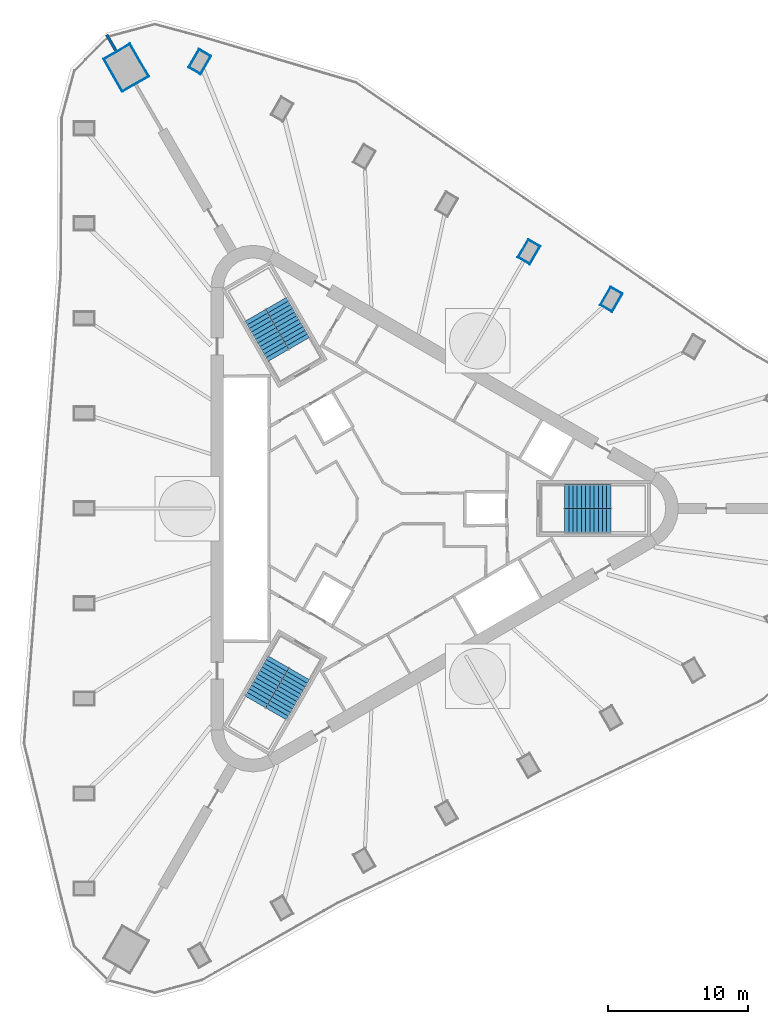
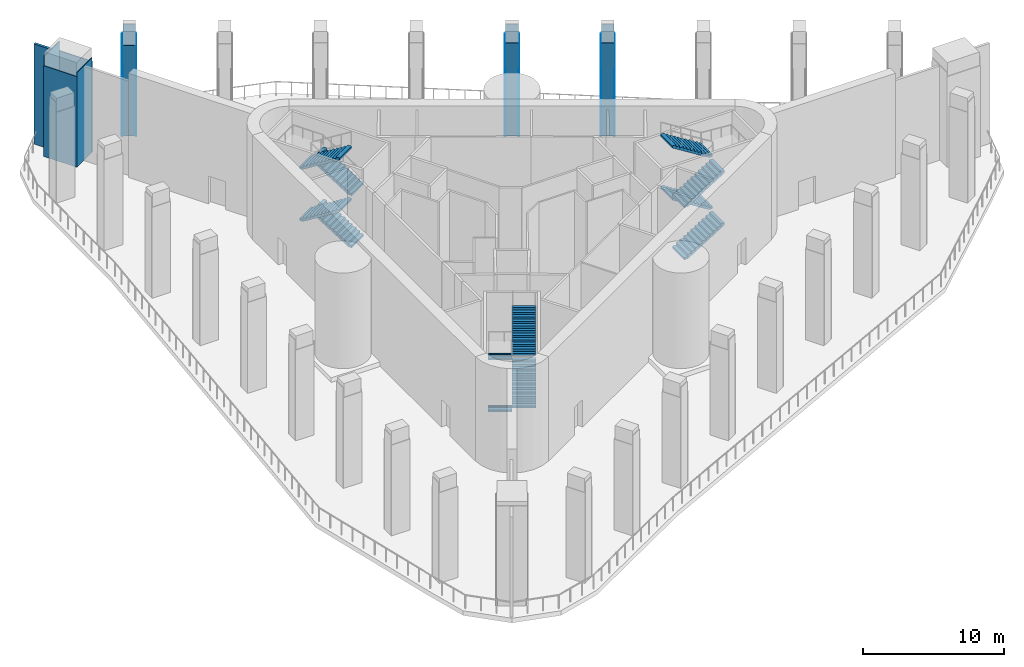
# One storey, part 6 of 10: 17 walls, 12 stair flights, 3 elements without a shape of their own.
"""IFC4 building model written with IfcOpenShell, lengths in metres."""

from ifc_helpers import new_model, si_unit, direction, frame, frame_2d, origin, place, context, subcontext, project, spatial, polyline, rectangle, outline, extrude, material, layer, layer_set, type_object, element, aggregate, save


model = new_model("IFC4")

# Units and contexts
model_context = context("Model", 3, precision=1e-05, world=origin(), true_north=direction((0.0, 1.0)))
body_context = subcontext(model_context, "Body", "Model", "MODEL_VIEW")
ifc_project = project(units=[si_unit("LENGTHUNIT", "METRE"), si_unit("AREAUNIT", "SQUARE_METRE"), si_unit("VOLUMEUNIT", "CUBIC_METRE"), si_unit("PLANEANGLEUNIT", "RADIAN"), si_unit("MASSUNIT", "GRAM", prefix="KILO")], contexts=[model_context])

# Site, building, storey
site_placement = place(None, origin())
site = spatial("IfcSite", under=ifc_project, at=site_placement, CompositionType="ELEMENT")
building_placement = place(site_placement, origin())
building = spatial("IfcBuilding", under=site, at=building_placement, Name="Tanit Gate Tower", CompositionType="ELEMENT")
storey_placement = place(building_placement, frame((0.0, 0.0, 283.699951171875)))
storey = spatial("IfcBuildingStorey", under=building, at=storey_placement, Name="L64", CompositionType="ELEMENT", Elevation=283.699951171875)

# Walls
ifc_material_1 = material(Name="Bronze anodised aluminium cladding", Category="aluminium")
ifc_layer_1 = layer(ifc_material_1, 0.06005859375)
ifc_layer_set_1 = layer_set([ifc_layer_1], Name="Column casing bronze 60")
wall_type_1 = type_object("IfcWallType", Name="Column casing bronze 60", PredefinedType="SOLIDWALL", material=ifc_layer_set_1)
for number, where, z_axis, x_axis, name in (
    (1, (-18.390380859375, 29.693115234375, 0.0), (0.0, 0.0, 1.0), (-0.500048779063, 0.865997239347, 0.0), "Column casing L64 M-NW.L1"),
    (2, (-16.519775390625, 30.773193359375, 0.0), (0.0, 0.0, 1.0), (-0.500048779063, 0.865997239347, 0.0), "Column casing L64 M-NW.L2"),
):
    element("IfcWall", number, at=place(storey_placement, frame(where, z_axis=z_axis, x_axis=x_axis)), inside=storey, type_object=wall_type_1, Name=name, PredefinedType="SOLIDWALL", context=body_context, shape_type="SweptSolid", body=[
        extrude(rectangle(XDim=2.719970703125, YDim=0.06005859375, at=frame_2d((1.35986328125, 0.0))), origin(), (0.0, 0.0, 1.0), 7.8359375),
    ])
wall_1_placement = place(storey_placement, frame((-17.890869140625, 33.087646484375, 0.0), z_axis=(0.0, 0.0, 1.0), x_axis=(-0.866009402589, -0.500027713859, 0.0)))
element("IfcWall", 3, at=wall_1_placement, inside=storey, type_object=wall_type_1, Name="Column casing L64 M-NW.S1", PredefinedType="SOLIDWALL", context=body_context, shape_type="SweptSolid", body=[
    extrude(rectangle(XDim=2.10009765625, YDim=0.06005859375, at=frame_2d((1.050048828125, 0.0))), origin(), (0.0, 0.0, 1.0), 8.650146484375),
])
wall_2_placement = place(storey_placement, frame((-16.560791015625, 30.7841796875, 0.0), z_axis=(0.0, 0.0, 1.0), x_axis=(-0.866009402589, -0.500027713859, 0.0)))
element("IfcWall", 4, at=wall_2_placement, inside=storey, type_object=wall_type_1, Name="Column casing L64 M-NW.S2", PredefinedType="SOLIDWALL", context=body_context, shape_type="SweptSolid", body=[
    extrude(rectangle(XDim=2.10009765625, YDim=0.06005859375, at=frame_2d((1.050048828125, 0.0))), origin(), (0.0, 0.0, 1.0), 8.16015625),
])
for number, where, z_axis, x_axis, name in (
    (5, (15.62890625, 14.488037109375, 0.0), (0.0, 0.0, 1.0), (0.499991248344, 0.866030456496, 0.0), "Column casing L64 P-NE4.L1"),
    (6, (16.460205078125, 14.008056640625, 0.0), (0.0, 0.0, 1.0), (0.499991248344, 0.866030456496, 0.0), "Column casing L64 P-NE4.L2"),
):
    element("IfcWall", number, at=place(storey_placement, frame(where, z_axis=z_axis, x_axis=x_axis)), inside=storey, type_object=wall_type_1, Name=name, PredefinedType="SOLIDWALL", context=body_context, shape_type="SweptSolid", body=[
        extrude(rectangle(XDim=1.52001953125, YDim=0.06005859375, at=frame_2d((0.760009765625, 0.0))), origin(), (0.0, 0.0, 1.0), 7.8359375),
    ])
wall_3_placement = place(storey_placement, frame((17.17919921875, 15.3134765625, 0.0), z_axis=(0.0, 0.0, 1.0), x_axis=(-0.866013897511, 0.50001992892, 0.0)))
element("IfcWall", 7, at=wall_3_placement, inside=storey, type_object=wall_type_1, Name="Column casing L64 P-NE4.S1", PredefinedType="SOLIDWALL", context=body_context, shape_type="SweptSolid", body=[
    extrude(rectangle(XDim=0.89990234375, YDim=0.06005859375, at=frame_2d((0.449951171875, 0.0))), origin(), (0.0, 0.0, 1.0), 8.650146484375),
])
wall_4_placement = place(storey_placement, frame((16.44921875, 14.049072265625, 0.0), z_axis=(0.0, 0.0, 1.0), x_axis=(-0.866013897511, 0.50001992892, 0.0)))
element("IfcWall", 8, at=wall_4_placement, inside=storey, type_object=wall_type_1, Name="Column casing L64 P-NE4.S2", PredefinedType="SOLIDWALL", context=body_context, shape_type="SweptSolid", body=[
    extrude(rectangle(XDim=0.89990234375, YDim=0.06005859375, at=frame_2d((0.449951171875, 0.0))), origin(), (0.0, 0.0, 1.0), 8.050048828125),
])
for number, where, z_axis, x_axis, name in (
    (9, (9.764892578125, 17.87353515625, 0.0), (0.0, 0.0, 1.0), (0.499991248344, 0.866030456496, 0.0), "Column casing L64 P-NE5.L1"),
    (10, (10.596435546875, 17.3935546875, 0.0), (0.0, 0.0, 1.0), (0.499991248344, 0.866030456496, 0.0), "Column casing L64 P-NE5.L2"),
):
    element("IfcWall", number, at=place(storey_placement, frame(where, z_axis=z_axis, x_axis=x_axis)), inside=storey, type_object=wall_type_1, Name=name, PredefinedType="SOLIDWALL", context=body_context, shape_type="SweptSolid", body=[
        extrude(rectangle(XDim=1.52001953125, YDim=0.06005859375, at=frame_2d((0.760009765625, 0.0))), origin(), (0.0, 0.0, 1.0), 7.8359375),
    ])
wall_5_placement = place(storey_placement, frame((11.3154296875, 18.698974609375, 0.0), z_axis=(0.0, 0.0, 1.0), x_axis=(-0.866081705922, 0.499902469156, 0.0)))
element("IfcWall", 11, at=wall_5_placement, inside=storey, type_object=wall_type_1, Name="Column casing L64 P-NE5.S1", PredefinedType="SOLIDWALL", context=body_context, shape_type="SweptSolid", body=[
    extrude(rectangle(XDim=0.900146484375, YDim=0.06005859375, at=frame_2d((0.4501953125, 0.0))), origin(), (0.0, 0.0, 1.0), 8.650146484375),
])
wall_6_placement = place(storey_placement, frame((10.58544921875, 17.4345703125, 0.0), z_axis=(0.0, 0.0, 1.0), x_axis=(-0.866081705922, 0.499902469156, 0.0)))
element("IfcWall", 12, at=wall_6_placement, inside=storey, type_object=wall_type_1, Name="Column casing L64 P-NE5.S2", PredefinedType="SOLIDWALL", context=body_context, shape_type="SweptSolid", body=[
    extrude(rectangle(XDim=0.900146484375, YDim=0.06005859375, at=frame_2d((0.4501953125, 0.0))), origin(), (0.0, 0.0, 1.0), 8.050048828125),
])
for number, where, z_axis, x_axis, name in (
    (13, (-13.6904296875, 31.415283203125, 0.0), (0.0, 0.0, 1.0), (0.499991248344, 0.866030456496, 0.0), "Column casing L64 P-NE9.L1"),
    (14, (-12.85888671875, 30.935302734375, 0.0), (0.0, 0.0, 1.0), (0.49987077196, 0.866100000774, 0.0), "Column casing L64 P-NE9.L2"),
):
    element("IfcWall", number, at=place(storey_placement, frame(where, z_axis=z_axis, x_axis=x_axis)), inside=storey, type_object=wall_type_1, Name=name, PredefinedType="SOLIDWALL", context=body_context, shape_type="SweptSolid", body=[
        extrude(rectangle(XDim=1.52001953125, YDim=0.06005859375, at=frame_2d((0.760009765625, 0.0))), origin(), (0.0, 0.0, 1.0), 7.8359375),
    ])
wall_7_placement = place(storey_placement, frame((-12.139892578125, 32.24072265625, 0.0), z_axis=(0.0, 0.0, 1.0), x_axis=(-0.865964261186, 0.500105887137, 0.0)))
element("IfcWall", 15, at=wall_7_placement, inside=storey, type_object=wall_type_1, Name="Column casing L64 P-NE9.S1", PredefinedType="SOLIDWALL", context=body_context, shape_type="SweptSolid", body=[
    extrude(rectangle(XDim=0.900146484375, YDim=0.06005859375, at=frame_2d((0.4501953125, 0.0))), origin(), (0.0, 0.0, 1.0), 8.650146484375),
])
wall_8_placement = place(storey_placement, frame((-12.8701171875, 30.976318359375, 0.0), z_axis=(0.0, 0.0, 1.0), x_axis=(-0.865896406789, 0.500223362819, 0.0)))
element("IfcWall", 16, at=wall_8_placement, inside=storey, type_object=wall_type_1, Name="Column casing L64 P-NE9.S2", PredefinedType="SOLIDWALL", context=body_context, shape_type="SweptSolid", body=[
    extrude(rectangle(XDim=0.89990234375, YDim=0.06005859375, at=frame_2d((0.449951171875, 0.0))), origin(), (0.0, 0.0, 1.0), 7.8359375),
])
ifc_material_2 = material(Name="Fire-rated gypsum board partition")
ifc_layer_2 = layer(ifc_material_2, 0.199951171875)
ifc_layer_set_2 = layer_set([ifc_layer_2], Name="INT-WALL-COMPARTMENT")
wall_type_2 = type_object("IfcWallType", Name="INT-WALL-COMPARTMENT", PredefinedType="PARTITIONING", material=ifc_layer_set_2)
wall_9_placement = place(storey_placement, frame((-19.52001953125, 33.74951171875, 0.0), z_axis=(0.0, 0.0, 1.0), x_axis=(0.500064592235, -0.865988108228, 0.0)))
element("IfcWall", 17, at=wall_9_placement, inside=storey, type_object=wall_type_2, Name="Wall Compartment W083", PredefinedType="PARTITIONING", context=body_context, shape_type="SweptSolid", body=[
    extrude(rectangle(XDim=1.317626953125, YDim=0.199951171875, at=frame_2d((0.65869140625, 0.0))), origin(), (0.0, 0.0, 1.0), 8.650146484375),
])

# Stair, stair flights
ifc_material_3 = material(Name="Concrete C40/50", Category="concrete")
stair_type = type_object("IfcStairType", Name="INT-STAIR-EXIT", PredefinedType="HALF_TURN_STAIR", material=ifc_material_3)
stair_1_placement = place(storey_placement, origin())
stair_1 = element("IfcStair", 18, at=stair_1_placement, inside=storey, type_object=stair_type, Name="L64 STAIR S1", PredefinedType="HALF_TURN_STAIR")
ifc_material_4 = material(Name="Concrete C40/50", Category="concrete")
stair_flight_type = type_object("IfcStairFlightType", Name="INT-STAIR-FLIGHT", PredefinedType="STRAIGHT", material=ifc_material_4)
stair_flight_1_placement = place(storey_placement, frame((13.094970703125, -0.8525390625, 0.0), z_axis=(0.0, 0.0, 1.0), x_axis=(1.0, 0.0, 0.0)))
stair_flight_1 = element("IfcStairFlight", 19, at=stair_flight_1_placement, type_object=stair_flight_type, Name="S1 flight 1", NumberOfRisers=12, NumberOfTreads=11, PredefinedType="STRAIGHT", RiserHeight=0.1875, TreadLength=0.3, context=body_context, shape_type="SweptSolid", body=[
    extrude(outline(polyline([(0.0, 0.0), (0.0, 0.1875), (0.300048828125, 0.1875), (0.300048828125, 0.375), (0.60009765625, 0.375), (0.60009765625, 0.5625), (0.89990234375, 0.5625), (0.89990234375, 0.75), (1.199951171875, 0.75), (1.199951171875, 0.9375), (1.5, 0.9375), (1.5, 1.125), (1.800048828125, 1.125), (1.800048828125, 1.3125), (2.10009765625, 1.3125), (2.10009765625, 1.5), (2.39990234375, 1.5), (2.39990234375, 1.6875), (2.699951171875, 1.6875), (2.699951171875, 1.875), (3.0, 1.875), (3.0, 2.0625), (3.300048828125, 2.0625), (3.300048828125, 2.25), (3.300048828125, 1.8857421875), (0.28271484375, 0.0), (0.0, 0.0)])), frame((0.0, 0.84765625, 0.0), z_axis=(0.0, -1.0, 0.0), x_axis=(1.0, 0.0, 0.0)), (0.0, 0.0, 1.0), 1.695068359375),
])
stair_flight_2_placement = place(storey_placement, frame((16.39501953125, 0.8525390625, 2.25), z_axis=(0.0, 0.0, 1.0), x_axis=(-1.0, 0.0, 0.0)))
stair_flight_2 = element("IfcStairFlight", 20, at=stair_flight_2_placement, type_object=stair_flight_type, Name="S1 flight 2", NumberOfRisers=12, NumberOfTreads=11, PredefinedType="STRAIGHT", RiserHeight=0.1875, TreadLength=0.3, context=body_context, shape_type="SweptSolid", body=[
    extrude(outline(polyline([(0.0, 0.0), (0.0, 0.1875), (0.300048828125, 0.1875), (0.300048828125, 0.375), (0.60009765625, 0.375), (0.60009765625, 0.5625), (0.89990234375, 0.5625), (0.89990234375, 0.75), (1.199951171875, 0.75), (1.199951171875, 0.9375), (1.5, 0.9375), (1.5, 1.125), (1.800048828125, 1.125), (1.800048828125, 1.3125), (2.10009765625, 1.3125), (2.10009765625, 1.5), (2.39990234375, 1.5), (2.39990234375, 1.6875), (2.699951171875, 1.6875), (2.699951171875, 1.875), (3.0, 1.875), (3.0, 2.0625), (3.300048828125, 2.0625), (3.300048828125, 2.25), (3.300048828125, 1.8857421875), (0.28271484375, 0.0), (0.0, 0.0)])), frame((0.0, 0.84765625, 0.0), z_axis=(0.0, -1.0, 0.0), x_axis=(1.0, 0.0, 0.0)), (0.0, 0.0, 1.0), 1.695068359375),
])
stair_flight_3_placement = place(storey_placement, frame((13.094970703125, -0.8525390625, 4.5), z_axis=(0.0, 0.0, 1.0), x_axis=(1.0, 0.0, 0.0)))
stair_flight_3 = element("IfcStairFlight", 21, at=stair_flight_3_placement, type_object=stair_flight_type, Name="S1 flight 3", NumberOfRisers=12, NumberOfTreads=11, PredefinedType="STRAIGHT", RiserHeight=0.1875, TreadLength=0.3, context=body_context, shape_type="SweptSolid", body=[
    extrude(outline(polyline([(0.0, 0.0), (0.0, 0.1875), (0.300048828125, 0.1875), (0.300048828125, 0.375), (0.60009765625, 0.375), (0.60009765625, 0.5625), (0.89990234375, 0.5625), (0.89990234375, 0.75), (1.199951171875, 0.75), (1.199951171875, 0.9375), (1.5, 0.9375), (1.5, 1.125), (1.800048828125, 1.125), (1.800048828125, 1.3125), (2.10009765625, 1.3125), (2.10009765625, 1.5), (2.39990234375, 1.5), (2.39990234375, 1.6875), (2.699951171875, 1.6875), (2.699951171875, 1.875), (3.0, 1.875), (3.0, 2.0625), (3.300048828125, 2.0625), (3.300048828125, 2.25), (3.300048828125, 1.8857421875), (0.28271484375, 0.0), (0.0, 0.0)])), frame((0.0, 0.84765625, 0.0), z_axis=(0.0, -1.0, 0.0), x_axis=(1.0, 0.0, 0.0)), (0.0, 0.0, 1.0), 1.695068359375),
])
stair_flight_4_placement = place(storey_placement, frame((16.39501953125, 0.8525390625, 6.75), z_axis=(0.0, 0.0, 1.0), x_axis=(-1.0, 0.0, 0.0)))
stair_flight_4 = element("IfcStairFlight", 22, at=stair_flight_4_placement, type_object=stair_flight_type, Name="S1 flight 4", NumberOfRisers=12, NumberOfTreads=11, PredefinedType="STRAIGHT", RiserHeight=0.1875, TreadLength=0.3, context=body_context, shape_type="SweptSolid", body=[
    extrude(outline(polyline([(0.0, 0.0), (0.0, 0.1875), (0.300048828125, 0.1875), (0.300048828125, 0.375), (0.60009765625, 0.375), (0.60009765625, 0.5625), (0.89990234375, 0.5625), (0.89990234375, 0.75), (1.199951171875, 0.75), (1.199951171875, 0.9375), (1.5, 0.9375), (1.5, 1.125), (1.800048828125, 1.125), (1.800048828125, 1.3125), (2.10009765625, 1.3125), (2.10009765625, 1.5), (2.39990234375, 1.5), (2.39990234375, 1.6875), (2.699951171875, 1.6875), (2.699951171875, 1.875), (3.0, 1.875), (3.0, 2.0625), (3.300048828125, 2.0625), (3.300048828125, 2.25), (3.300048828125, 1.8857421875), (0.28271484375, 0.0), (0.0, 0.0)])), frame((0.0, 0.84765625, 0.0), z_axis=(0.0, -1.0, 0.0), x_axis=(1.0, 0.0, 0.0)), (0.0, 0.0, 1.0), 1.695068359375),
])
aggregate(stair_1, [stair_flight_1, stair_flight_2, stair_flight_3, stair_flight_4])

stair_2_placement = place(storey_placement, origin())
stair_2 = element("IfcStair", 23, at=stair_2_placement, inside=storey, type_object=stair_type, Name="L64 STAIR S2", PredefinedType="HALF_TURN_STAIR")
stair_flight_5_placement = place(storey_placement, frame((-5.808349609375, 11.766357421875, 0.0), z_axis=(0.0, 0.0, 1.0), x_axis=(-0.5, 0.866025403784, 0.0)))
stair_flight_5 = element("IfcStairFlight", 24, at=stair_flight_5_placement, type_object=stair_flight_type, Name="S2 flight 1", NumberOfRisers=12, NumberOfTreads=11, PredefinedType="STRAIGHT", RiserHeight=0.1875, TreadLength=0.3, context=body_context, shape_type="SweptSolid", body=[
    extrude(outline(polyline([(0.0, 0.0), (0.0, 0.1875), (0.300048828125, 0.1875), (0.300048828125, 0.375), (0.60009765625, 0.375), (0.60009765625, 0.5625), (0.89990234375, 0.5625), (0.89990234375, 0.75), (1.199951171875, 0.75), (1.199951171875, 0.9375), (1.5, 0.9375), (1.5, 1.125), (1.800048828125, 1.125), (1.800048828125, 1.3125), (2.10009765625, 1.3125), (2.10009765625, 1.5), (2.39990234375, 1.5), (2.39990234375, 1.6875), (2.699951171875, 1.6875), (2.699951171875, 1.875), (3.0, 1.875), (3.0, 2.0625), (3.300048828125, 2.0625), (3.300048828125, 2.25), (3.300048828125, 1.8857421875), (0.28271484375, 0.0), (0.0, 0.0)])), frame((0.0, 0.84716796875, 0.0), z_axis=(0.0, -1.0, 0.0), x_axis=(1.0, 0.0, 0.0)), (0.0, 0.0, 1.0), 1.694091796875),
])
stair_flight_6_placement = place(storey_placement, frame((-8.935791015625, 13.771240234375, 2.25), z_axis=(0.0, 0.0, 1.0), x_axis=(0.5, -0.866025403784, 0.0)))
stair_flight_6 = element("IfcStairFlight", 25, at=stair_flight_6_placement, type_object=stair_flight_type, Name="S2 flight 2", NumberOfRisers=12, NumberOfTreads=11, PredefinedType="STRAIGHT", RiserHeight=0.1875, TreadLength=0.3, context=body_context, shape_type="SweptSolid", body=[
    extrude(outline(polyline([(0.0, 0.0), (0.0, 0.1875), (0.300048828125, 0.1875), (0.300048828125, 0.375), (0.60009765625, 0.375), (0.60009765625, 0.5625), (0.89990234375, 0.5625), (0.89990234375, 0.75), (1.199951171875, 0.75), (1.199951171875, 0.9375), (1.5, 0.9375), (1.5, 1.125), (1.800048828125, 1.125), (1.800048828125, 1.3125), (2.10009765625, 1.3125), (2.10009765625, 1.5), (2.39990234375, 1.5), (2.39990234375, 1.6875), (2.699951171875, 1.6875), (2.699951171875, 1.875), (3.0, 1.875), (3.0, 2.0625), (3.300048828125, 2.0625), (3.300048828125, 2.25), (3.300048828125, 1.8857421875), (0.28271484375, 0.0), (0.0, 0.0)])), frame((0.0, 0.84716796875, 0.0), z_axis=(0.0, -1.0, 0.0), x_axis=(1.0, 0.0, 0.0)), (0.0, 0.0, 1.0), 1.694091796875),
])
stair_flight_7_placement = place(storey_placement, frame((-5.808349609375, 11.766357421875, 4.5), z_axis=(0.0, 0.0, 1.0), x_axis=(-0.5, 0.866025403784, 0.0)))
stair_flight_7 = element("IfcStairFlight", 26, at=stair_flight_7_placement, type_object=stair_flight_type, Name="S2 flight 3", NumberOfRisers=12, NumberOfTreads=11, PredefinedType="STRAIGHT", RiserHeight=0.1875, TreadLength=0.3, context=body_context, shape_type="SweptSolid", body=[
    extrude(outline(polyline([(0.0, 0.0), (0.0, 0.1875), (0.300048828125, 0.1875), (0.300048828125, 0.375), (0.60009765625, 0.375), (0.60009765625, 0.5625), (0.89990234375, 0.5625), (0.89990234375, 0.75), (1.199951171875, 0.75), (1.199951171875, 0.9375), (1.5, 0.9375), (1.5, 1.125), (1.800048828125, 1.125), (1.800048828125, 1.3125), (2.10009765625, 1.3125), (2.10009765625, 1.5), (2.39990234375, 1.5), (2.39990234375, 1.6875), (2.699951171875, 1.6875), (2.699951171875, 1.875), (3.0, 1.875), (3.0, 2.0625), (3.300048828125, 2.0625), (3.300048828125, 2.25), (3.300048828125, 1.8857421875), (0.28271484375, 0.0), (0.0, 0.0)])), frame((0.0, 0.84716796875, 0.0), z_axis=(0.0, -1.0, 0.0), x_axis=(1.0, 0.0, 0.0)), (0.0, 0.0, 1.0), 1.694091796875),
])
stair_flight_8_placement = place(storey_placement, frame((-8.935791015625, 13.771240234375, 6.75), z_axis=(0.0, 0.0, 1.0), x_axis=(0.5, -0.866025403784, 0.0)))
stair_flight_8 = element("IfcStairFlight", 27, at=stair_flight_8_placement, type_object=stair_flight_type, Name="S2 flight 4", NumberOfRisers=12, NumberOfTreads=11, PredefinedType="STRAIGHT", RiserHeight=0.1875, TreadLength=0.3, context=body_context, shape_type="SweptSolid", body=[
    extrude(outline(polyline([(0.0, 0.0), (0.0, 0.1875), (0.300048828125, 0.1875), (0.300048828125, 0.375), (0.60009765625, 0.375), (0.60009765625, 0.5625), (0.89990234375, 0.5625), (0.89990234375, 0.75), (1.199951171875, 0.75), (1.199951171875, 0.9375), (1.5, 0.9375), (1.5, 1.125), (1.800048828125, 1.125), (1.800048828125, 1.3125), (2.10009765625, 1.3125), (2.10009765625, 1.5), (2.39990234375, 1.5), (2.39990234375, 1.6875), (2.699951171875, 1.6875), (2.699951171875, 1.875), (3.0, 1.875), (3.0, 2.0625), (3.300048828125, 2.0625), (3.300048828125, 2.25), (3.300048828125, 1.8857421875), (0.28271484375, 0.0), (0.0, 0.0)])), frame((0.0, 0.84716796875, 0.0), z_axis=(0.0, -1.0, 0.0), x_axis=(1.0, 0.0, 0.0)), (0.0, 0.0, 1.0), 1.694091796875),
])
aggregate(stair_2, [stair_flight_5, stair_flight_6, stair_flight_7, stair_flight_8])

stair_3_placement = place(storey_placement, origin())
stair_3 = element("IfcStair", 28, at=stair_3_placement, inside=storey, type_object=stair_type, Name="L64 STAIR S3", PredefinedType="HALF_TURN_STAIR")
stair_flight_9_placement = place(storey_placement, frame((-7.285888671875, -10.914306640625, 0.0), z_axis=(0.0, 0.0, 1.0), x_axis=(-0.5, -0.866025403784, 0.0)))
stair_flight_9 = element("IfcStairFlight", 29, at=stair_flight_9_placement, type_object=stair_flight_type, Name="S3 flight 1", NumberOfRisers=12, NumberOfTreads=11, PredefinedType="STRAIGHT", RiserHeight=0.1875, TreadLength=0.3, context=body_context, shape_type="SweptSolid", body=[
    extrude(outline(polyline([(0.0, 0.0), (0.0, 0.1875), (0.300048828125, 0.1875), (0.300048828125, 0.375), (0.60009765625, 0.375), (0.60009765625, 0.5625), (0.89990234375, 0.5625), (0.89990234375, 0.75), (1.199951171875, 0.75), (1.199951171875, 0.9375), (1.5, 0.9375), (1.5, 1.125), (1.800048828125, 1.125), (1.800048828125, 1.3125), (2.10009765625, 1.3125), (2.10009765625, 1.5), (2.39990234375, 1.5), (2.39990234375, 1.6875), (2.699951171875, 1.6875), (2.699951171875, 1.875), (3.0, 1.875), (3.0, 2.0625), (3.300048828125, 2.0625), (3.300048828125, 2.25), (3.300048828125, 1.8857421875), (0.28271484375, 0.0), (0.0, 0.0)])), frame((0.0, 0.84765625, 0.0), z_axis=(0.0, -1.0, 0.0), x_axis=(1.0, 0.0, 0.0)), (0.0, 0.0, 1.0), 1.695068359375),
])
stair_flight_10_placement = place(storey_placement, frame((-7.459228515625, -14.624755859375, 2.25), z_axis=(0.0, 0.0, 1.0), x_axis=(0.5, 0.866025403784, 0.0)))
stair_flight_10 = element("IfcStairFlight", 30, at=stair_flight_10_placement, type_object=stair_flight_type, Name="S3 flight 2", NumberOfRisers=12, NumberOfTreads=11, PredefinedType="STRAIGHT", RiserHeight=0.1875, TreadLength=0.3, context=body_context, shape_type="SweptSolid", body=[
    extrude(outline(polyline([(0.0, 0.0), (0.0, 0.1875), (0.300048828125, 0.1875), (0.300048828125, 0.375), (0.60009765625, 0.375), (0.60009765625, 0.5625), (0.89990234375, 0.5625), (0.89990234375, 0.75), (1.199951171875, 0.75), (1.199951171875, 0.9375), (1.5, 0.9375), (1.5, 1.125), (1.800048828125, 1.125), (1.800048828125, 1.3125), (2.10009765625, 1.3125), (2.10009765625, 1.5), (2.39990234375, 1.5), (2.39990234375, 1.6875), (2.699951171875, 1.6875), (2.699951171875, 1.875), (3.0, 1.875), (3.0, 2.0625), (3.300048828125, 2.0625), (3.300048828125, 2.25), (3.300048828125, 1.8857421875), (0.28271484375, 0.0), (0.0, 0.0)])), frame((0.0, 0.84765625, 0.0), z_axis=(0.0, -1.0, 0.0), x_axis=(1.0, 0.0, 0.0)), (0.0, 0.0, 1.0), 1.695068359375),
])
stair_flight_11_placement = place(storey_placement, frame((-7.285888671875, -10.914306640625, 4.5), z_axis=(0.0, 0.0, 1.0), x_axis=(-0.5, -0.866025403784, 0.0)))
stair_flight_11 = element("IfcStairFlight", 31, at=stair_flight_11_placement, type_object=stair_flight_type, Name="S3 flight 3", NumberOfRisers=12, NumberOfTreads=11, PredefinedType="STRAIGHT", RiserHeight=0.1875, TreadLength=0.3, context=body_context, shape_type="SweptSolid", body=[
    extrude(outline(polyline([(0.0, 0.0), (0.0, 0.1875), (0.300048828125, 0.1875), (0.300048828125, 0.375), (0.60009765625, 0.375), (0.60009765625, 0.5625), (0.89990234375, 0.5625), (0.89990234375, 0.75), (1.199951171875, 0.75), (1.199951171875, 0.9375), (1.5, 0.9375), (1.5, 1.125), (1.800048828125, 1.125), (1.800048828125, 1.3125), (2.10009765625, 1.3125), (2.10009765625, 1.5), (2.39990234375, 1.5), (2.39990234375, 1.6875), (2.699951171875, 1.6875), (2.699951171875, 1.875), (3.0, 1.875), (3.0, 2.0625), (3.300048828125, 2.0625), (3.300048828125, 2.25), (3.300048828125, 1.8857421875), (0.28271484375, 0.0), (0.0, 0.0)])), frame((0.0, 0.84765625, 0.0), z_axis=(0.0, -1.0, 0.0), x_axis=(1.0, 0.0, 0.0)), (0.0, 0.0, 1.0), 1.695068359375),
])
stair_flight_12_placement = place(storey_placement, frame((-7.459228515625, -14.624755859375, 6.75), z_axis=(0.0, 0.0, 1.0), x_axis=(0.5, 0.866025403784, 0.0)))
stair_flight_12 = element("IfcStairFlight", 32, at=stair_flight_12_placement, type_object=stair_flight_type, Name="S3 flight 4", NumberOfRisers=12, NumberOfTreads=11, PredefinedType="STRAIGHT", RiserHeight=0.1875, TreadLength=0.3, context=body_context, shape_type="SweptSolid", body=[
    extrude(outline(polyline([(0.0, 0.0), (0.0, 0.1875), (0.300048828125, 0.1875), (0.300048828125, 0.375), (0.60009765625, 0.375), (0.60009765625, 0.5625), (0.89990234375, 0.5625), (0.89990234375, 0.75), (1.199951171875, 0.75), (1.199951171875, 0.9375), (1.5, 0.9375), (1.5, 1.125), (1.800048828125, 1.125), (1.800048828125, 1.3125), (2.10009765625, 1.3125), (2.10009765625, 1.5), (2.39990234375, 1.5), (2.39990234375, 1.6875), (2.699951171875, 1.6875), (2.699951171875, 1.875), (3.0, 1.875), (3.0, 2.0625), (3.300048828125, 2.0625), (3.300048828125, 2.25), (3.300048828125, 1.8857421875), (0.28271484375, 0.0), (0.0, 0.0)])), frame((0.0, 0.84765625, 0.0), z_axis=(0.0, -1.0, 0.0), x_axis=(1.0, 0.0, 0.0)), (0.0, 0.0, 1.0), 1.695068359375),
])
aggregate(stair_3, [stair_flight_9, stair_flight_10, stair_flight_11, stair_flight_12])

save(model, "model.ifc")
